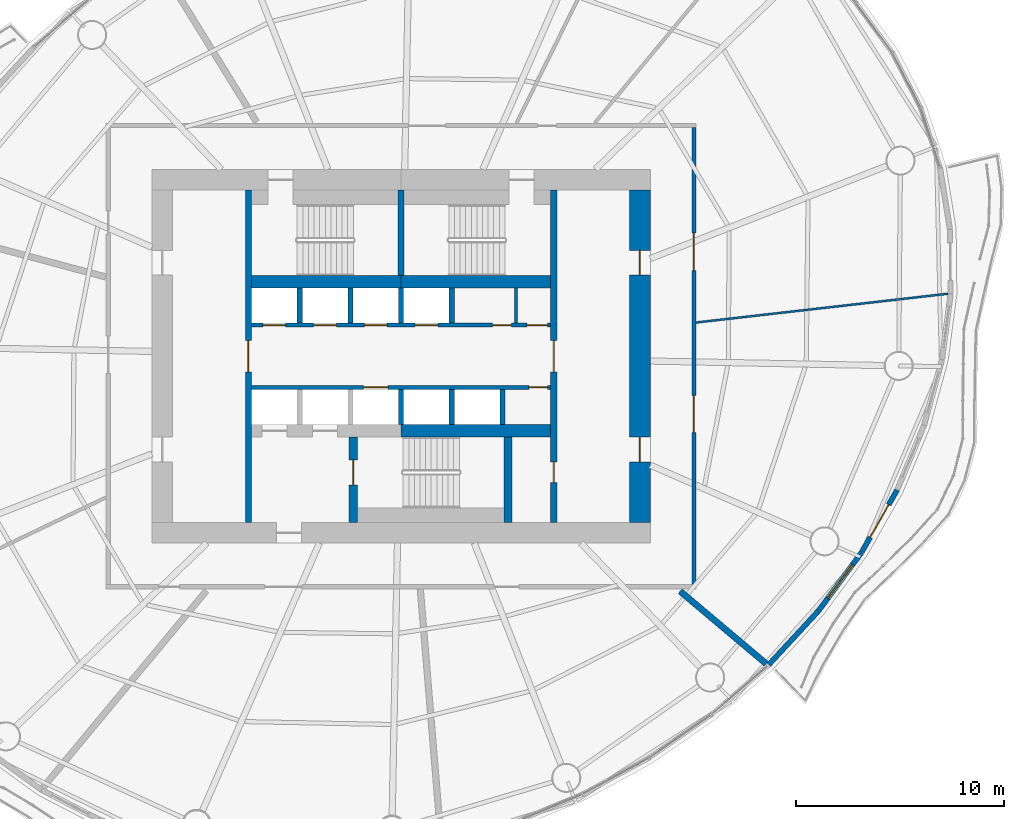
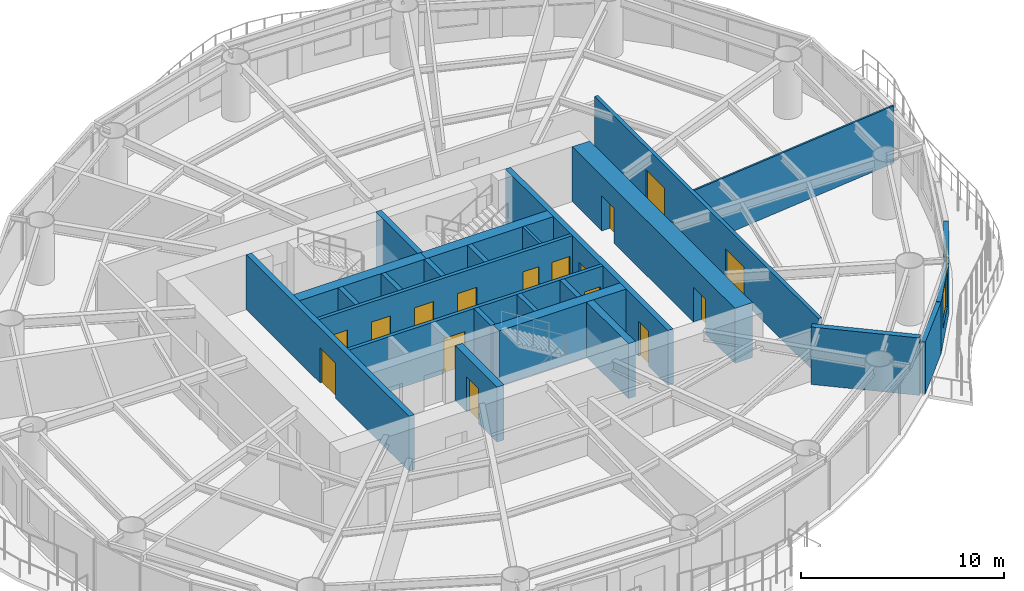
# One storey, part 9 of 15: 25 walls, 17 doors, 1 window, 18 openings.
"""IFC4 building model written with IfcOpenShell, lengths in metres."""

from ifc_helpers import new_model, si_unit, direction, frame, frame_2d, origin, place, context, subcontext, project, spatial, rectangle, extrude, material, layer, layer_set, type_object, element, fill, save


model = new_model("IFC4")

# Units and contexts
model_context = context("Model", 3, precision=1e-05, world=origin(), true_north=direction((0.0, 1.0)))
body_context = subcontext(model_context, "Body", "Model", "MODEL_VIEW")
ifc_project = project(units=[si_unit("LENGTHUNIT", "METRE"), si_unit("AREAUNIT", "SQUARE_METRE"), si_unit("VOLUMEUNIT", "CUBIC_METRE"), si_unit("PLANEANGLEUNIT", "RADIAN"), si_unit("MASSUNIT", "GRAM", prefix="KILO")], contexts=[model_context])

# Site, building, storey
site_placement = place(None, origin())
site = spatial("IfcSite", under=ifc_project, at=site_placement, CompositionType="ELEMENT")
building_placement = place(site_placement, origin())
building = spatial("IfcBuilding", under=site, at=building_placement, Name="Vermilion Reach Broadcast Tower", CompositionType="ELEMENT")
storey_placement = place(building_placement, frame((0.0, 0.0, 161.39990234375)))
storey = spatial("IfcBuildingStorey", under=building, at=storey_placement, Name="L38", CompositionType="ELEMENT", Elevation=161.39990234375)

# Wall, opening, door
ifc_material_1 = material(Name="Concrete C70", Category="concrete")
ifc_layer_1 = layer(ifc_material_1, 0.300048828125)
ifc_layer_set_1 = layer_set([ifc_layer_1], Name="Core inner wall 300 mm Concrete C70")
wall_type_1 = type_object("IfcWallType", Name="Core inner wall 300 mm Concrete C70", PredefinedType="SHEAR", material=ifc_layer_set_1)
wall_1_placement = place(storey_placement, frame((-13.35009765625, 8.0, 0.0), z_axis=(0.0, 0.0, 1.0), x_axis=(0.0, -1.0, 0.0)))
wall_1 = element("IfcWall", 1, at=wall_1_placement, inside=storey, type_object=wall_type_1, Name="L38 core wall ewW", PredefinedType="SHEAR", context=body_context, shape_type="SweptSolid", body=[
    extrude(rectangle(XDim=16.0, YDim=0.300048828125, at=frame_2d((8.0, 0.0))), origin(), (0.0, 0.0, 1.0), 3.300048828125),
])
opening_1_placement = place(wall_1_placement, frame((7.25, 0.0, 0.0)))
opening_1 = element("IfcOpeningElement", 2, at=opening_1_placement, cuts=wall_1, Name="Opening D04", PredefinedType="OPENING", context=body_context, shape_type="SweptSolid", body=[
    extrude(rectangle(XDim=1.5, YDim=2.10009765625, at=frame_2d((0.75, 1.050048828125))), frame((0.0, 0.159912109375, 0.0), z_axis=(0.0, -1.0, 0.0), x_axis=(1.0, 0.0, 0.0)), (0.0, 0.0, 1.0), 0.320068359375),
])
ifc_material_2 = material(Name="Painted steel fire door", Category="steel")
door_type_1 = type_object("IfcDoorType", Name="Lift lobby door 1500 x 2100", OperationType="DOUBLE_DOOR_SINGLE_SWING", PredefinedType="NOTDEFINED", material=ifc_material_2)
door_1_placement = place(opening_1_placement, origin())
door_1 = element("IfcDoor", 3, at=door_1_placement, inside=storey, type_object=door_type_1, Name="L38 band door BW", OperationType="DOUBLE_DOOR_SINGLE_SWING", OverallHeight=2.10009765625, OverallWidth=1.5, PredefinedType="NOTDEFINED", context=body_context, shape_type="SweptSolid", body=[
    extrude(rectangle(XDim=1.5, YDim=2.10009765625, at=frame_2d((0.75, 1.050048828125))), frame((0.0, 0.02490234375, 0.0), z_axis=(0.0, -1.0, 0.0), x_axis=(1.0, 0.0, 0.0)), (0.0, 0.0, 1.0), 0.050048828125),
])
fill(opening_1, door_1)

# Wall, openings, doors
wall_2_placement = place(storey_placement, frame((1.35009765625, -8.0, 0.0), z_axis=(0.0, 0.0, 1.0), x_axis=(0.0, 1.0, 0.0)))
wall_2 = element("IfcWall", 4, at=wall_2_placement, inside=storey, type_object=wall_type_1, Name="L38 core wall ewE", PredefinedType="SHEAR", context=body_context, shape_type="SweptSolid", body=[
    extrude(rectangle(XDim=16.0, YDim=0.300048828125, at=frame_2d((8.0, 0.0))), origin(), (0.0, 0.0, 1.0), 3.300048828125),
])
opening_2_placement = place(wall_2_placement, frame((1.909912109375, 0.0, 0.0)))
opening_2 = element("IfcOpeningElement", 5, at=opening_2_placement, cuts=wall_2, Name="Opening D05", PredefinedType="OPENING", context=body_context, shape_type="SweptSolid", body=[
    extrude(rectangle(XDim=1.0, YDim=2.10009765625, at=frame_2d((0.5, 1.050048828125))), frame((0.0, 0.159912109375, 0.0), z_axis=(0.0, -1.0, 0.0), x_axis=(1.0, 0.0, 0.0)), (0.0, 0.0, 1.0), 0.320068359375),
])
opening_3_placement = place(wall_2_placement, frame((7.25, 0.0, 0.0)))
opening_3 = element("IfcOpeningElement", 6, at=opening_3_placement, cuts=wall_2, Name="Opening D04", PredefinedType="OPENING", context=body_context, shape_type="SweptSolid", body=[
    extrude(rectangle(XDim=1.5, YDim=2.10009765625, at=frame_2d((0.75, 1.050048828125))), frame((0.0, 0.159912109375, 0.0), z_axis=(0.0, -1.0, 0.0), x_axis=(1.0, 0.0, 0.0)), (0.0, 0.0, 1.0), 0.320068359375),
])
door_2_placement = place(opening_3_placement, origin())
door_2 = element("IfcDoor", 7, at=door_2_placement, inside=storey, type_object=door_type_1, Name="L38 band door BE", OperationType="DOUBLE_DOOR_SINGLE_SWING", OverallHeight=2.10009765625, OverallWidth=1.5, PredefinedType="NOTDEFINED", context=body_context, shape_type="SweptSolid", body=[
    extrude(rectangle(XDim=1.5, YDim=2.10009765625, at=frame_2d((0.75, 1.050048828125))), frame((0.0, 0.02490234375, 0.0), z_axis=(0.0, -1.0, 0.0), x_axis=(1.0, 0.0, 0.0)), (0.0, 0.0, 1.0), 0.050048828125),
])
fill(opening_3, door_2)
ifc_material_3 = material(Name="Timber door", Category="wood")
door_type_2 = type_object("IfcDoorType", Name="Room door 1000 x 2100", OperationType="NOTDEFINED", PredefinedType="NOTDEFINED", material=ifc_material_3)
door_3_placement = place(opening_2_placement, origin())
door_3 = element("IfcDoor", 8, at=door_3_placement, inside=storey, type_object=door_type_2, Name="L38 door SER", OperationType="SINGLE_SWING_LEFT", OverallHeight=2.10009765625, OverallWidth=1.0, PredefinedType="NOTDEFINED", context=body_context, shape_type="SweptSolid", body=[
    extrude(rectangle(XDim=1.0, YDim=2.10009765625, at=frame_2d((0.5, 1.050048828125))), frame((0.0, 0.02490234375, 0.0), z_axis=(0.0, -1.0, 0.0), x_axis=(1.0, 0.0, 0.0)), (0.0, 0.0, 1.0), 0.050048828125),
])
fill(opening_2, door_3)

# Wall
wall_3_placement = place(storey_placement, frame((-6.0, 3.8798828125, 0.0), z_axis=(0.0, 0.0, 1.0), x_axis=(0.0, 1.0, 0.0)))
element("IfcWall", 9, at=wall_3_placement, inside=storey, type_object=wall_type_1, Name="L38 core wall wc", PredefinedType="SHEAR", context=body_context, shape_type="SweptSolid", body=[
    extrude(rectangle(XDim=4.1201171875, YDim=0.300048828125, at=frame_2d((2.06005859375, 0.0))), origin(), (0.0, 0.0, 1.0), 3.300048828125),
])

# Wall, opening, door
ifc_material_4 = material(Name="Concrete C70", Category="concrete")
ifc_layer_2 = layer(ifc_material_4, 0.39990234375)
ifc_layer_set_2 = layer_set([ifc_layer_2], Name="Core inner wall 400 mm Concrete C70")
wall_type_2 = type_object("IfcWallType", Name="Core inner wall 400 mm Concrete C70", PredefinedType="SHEAR", material=ifc_layer_set_2)
wall_4_placement = place(storey_placement, frame((-8.300048828125, -3.8798828125, 0.0), z_axis=(0.0, 0.0, 1.0), x_axis=(0.0, -1.0, 0.0)))
wall_4 = element("IfcWall", 10, at=wall_4_placement, inside=storey, type_object=wall_type_2, Name="L38 core wall wa", PredefinedType="SHEAR", context=body_context, shape_type="SweptSolid", body=[
    extrude(rectangle(XDim=4.1201171875, YDim=0.39990234375, at=frame_2d((2.06005859375, 0.0))), origin(), (0.0, 0.0, 1.0), 3.300048828125),
])
opening_4_placement = place(wall_4_placement, frame((1.110107421875, 0.0, 0.0)))
opening_4 = element("IfcOpeningElement", 11, at=opening_4_placement, cuts=wall_4, Name="Opening D01", PredefinedType="OPENING", context=body_context, shape_type="SweptSolid", body=[
    extrude(rectangle(XDim=1.199951171875, YDim=2.10009765625, at=frame_2d((0.60009765625, 1.050048828125))), frame((0.0, 0.2099609375, 0.0), z_axis=(0.0, -1.0, 0.0), x_axis=(1.0, 0.0, 0.0)), (0.0, 0.0, 1.0), 0.419921875),
])
ifc_material_5 = material(Name="Painted steel fire door", Category="steel")
door_type_3 = type_object("IfcDoorType", Name="Stair door 1200 x 2100", OperationType="DOUBLE_DOOR_SINGLE_SWING", PredefinedType="NOTDEFINED", material=ifc_material_5)
door_4_placement = place(opening_4_placement, origin())
door_4 = element("IfcDoor", 12, at=door_4_placement, inside=storey, type_object=door_type_3, Name="L38 stair door ST3", OperationType="DOUBLE_DOOR_SINGLE_SWING", OverallHeight=2.10009765625, OverallWidth=1.199951171875, PredefinedType="NOTDEFINED", context=body_context, shape_type="SweptSolid", body=[
    extrude(rectangle(XDim=1.199951171875, YDim=2.10009765625, at=frame_2d((0.60009765625, 1.050048828125))), frame((0.0, 0.02490234375, 0.0), z_axis=(0.0, -1.0, 0.0), x_axis=(1.0, 0.0, 0.0)), (0.0, 0.0, 1.0), 0.050048828125),
])
fill(opening_4, door_4)

# Walls
wall_5_placement = place(storey_placement, frame((-0.85009765625, -3.8798828125, 0.0), z_axis=(0.0, 0.0, 1.0), x_axis=(0.0, -1.0, 0.0)))
element("IfcWall", 13, at=wall_5_placement, inside=storey, type_object=wall_type_2, Name="L38 core wall wb", PredefinedType="SHEAR", context=body_context, shape_type="SweptSolid", body=[
    extrude(rectangle(XDim=4.1201171875, YDim=0.39990234375, at=frame_2d((2.06005859375, 0.0))), origin(), (0.0, 0.0, 1.0), 3.300048828125),
])
ifc_material_6 = material(Name="Concrete C70", Category="concrete")
ifc_layer_3 = layer(ifc_material_6, 0.60009765625)
ifc_layer_set_3 = layer_set([ifc_layer_3], Name="Core inner wall 600 mm Concrete C70")
wall_type_3 = type_object("IfcWallType", Name="Core inner wall 600 mm Concrete C70", PredefinedType="SHEAR", material=ifc_layer_set_3)
for number, where, z_axis, x_axis, name in (
    (14, (-13.199951171875, 3.580078125, 0.0), (0.0, 0.0, 1.0), (1.0, 0.0, 0.0), "L38 core wall winW"),
    (15, (-6.0, 3.580078125, 0.0), (0.0, 0.0, 1.0), (1.0, 0.0, 0.0), "L38 core wall winE"),
    (16, (-6.0, -3.580078125, 0.0), (0.0, 0.0, 1.0), (1.0, 0.0, 0.0), "L38 core wall wisE"),
):
    element("IfcWall", number, at=place(storey_placement, frame(where, z_axis=z_axis, x_axis=x_axis)), inside=storey, type_object=wall_type_3, Name=name, PredefinedType="SHEAR", context=body_context, shape_type="SweptSolid", body=[
        extrude(rectangle(XDim=7.199951171875, YDim=0.60009765625, at=frame_2d((3.60009765625, 0.0))), origin(), (0.0, 0.0, 1.0), 3.300048828125),
    ])

# Wall, openings, doors
ifc_material_7 = material(Name="Concrete C70", Category="concrete")
ifc_layer_4 = layer(ifc_material_7, 1.0)
ifc_layer_set_4 = layer_set([ifc_layer_4], Name="Core outer wall 1000 mm Concrete C70")
wall_type_4 = type_object("IfcWallType", Name="Core outer wall 1000 mm Concrete C70", PredefinedType="SHEAR", material=ifc_layer_set_4)
wall_6_placement = place(storey_placement, frame((5.5, -8.0, 0.0), z_axis=(0.0, 0.0, 1.0), x_axis=(0.0, 1.0, 0.0)))
wall_6 = element("IfcWall", 17, at=wall_6_placement, inside=storey, type_object=wall_type_4, Name="L38 core wall oe", PredefinedType="SHEAR", context=body_context, shape_type="SweptSolid", body=[
    extrude(rectangle(XDim=16.0, YDim=1.0, at=frame_2d((8.0, 0.0))), origin(), (0.0, 0.0, 1.0), 3.300048828125),
])
opening_5_placement = place(wall_6_placement, frame((2.89990234375, 0.0, 0.0)))
opening_5 = element("IfcOpeningElement", 18, at=opening_5_placement, cuts=wall_6, Name="Opening D03", PredefinedType="OPENING", context=body_context, shape_type="SweptSolid", body=[
    extrude(rectangle(XDim=1.199951171875, YDim=2.10009765625, at=frame_2d((0.60009765625, 1.050048828125))), frame((0.0, 0.510009765625, 0.0), z_axis=(0.0, -1.0, 0.0), x_axis=(1.0, 0.0, 0.0)), (0.0, 0.0, 1.0), 1.02001953125),
])
opening_6_placement = place(wall_6_placement, frame((11.89990234375, 0.0, 0.0)))
opening_6 = element("IfcOpeningElement", 19, at=opening_6_placement, cuts=wall_6, Name="Opening D03", PredefinedType="OPENING", context=body_context, shape_type="SweptSolid", body=[
    extrude(rectangle(XDim=1.199951171875, YDim=2.10009765625, at=frame_2d((0.60009765625, 1.050048828125))), frame((0.0, 0.510009765625, 0.0), z_axis=(0.0, -1.0, 0.0), x_axis=(1.0, 0.0, 0.0)), (0.0, 0.0, 1.0), 1.02001953125),
])
ifc_material_8 = material(Name="Painted steel fire door", Category="steel")
door_type_4 = type_object("IfcDoorType", Name="Core lobby door 1200 x 2100", OperationType="DOUBLE_DOOR_SINGLE_SWING", PredefinedType="NOTDEFINED", material=ifc_material_8)
door_5_placement = place(opening_5_placement, origin())
door_5 = element("IfcDoor", 20, at=door_5_placement, inside=storey, type_object=door_type_4, Name="L38 slot door E0", OperationType="DOUBLE_DOOR_SINGLE_SWING", OverallHeight=2.10009765625, OverallWidth=1.199951171875, PredefinedType="NOTDEFINED", context=body_context, shape_type="SweptSolid", body=[
    extrude(rectangle(XDim=1.199951171875, YDim=2.10009765625, at=frame_2d((0.60009765625, 1.050048828125))), frame((0.0, 0.02490234375, 0.0), z_axis=(0.0, -1.0, 0.0), x_axis=(1.0, 0.0, 0.0)), (0.0, 0.0, 1.0), 0.050048828125),
])
fill(opening_5, door_5)
door_6_placement = place(opening_6_placement, origin())
door_6 = element("IfcDoor", 21, at=door_6_placement, inside=storey, type_object=door_type_4, Name="L38 slot door E1", OperationType="DOUBLE_DOOR_SINGLE_SWING", OverallHeight=2.10009765625, OverallWidth=1.199951171875, PredefinedType="NOTDEFINED", context=body_context, shape_type="SweptSolid", body=[
    extrude(rectangle(XDim=1.199951171875, YDim=2.10009765625, at=frame_2d((0.60009765625, 1.050048828125))), frame((0.0, 0.02490234375, 0.0), z_axis=(0.0, -1.0, 0.0), x_axis=(1.0, 0.0, 0.0)), (0.0, 0.0, 1.0), 0.050048828125),
])
fill(opening_6, door_6)

# Wall
ifc_material_9 = material(Name="Masonry block", Category="masonry")
ifc_layer_5 = layer(ifc_material_9, 0.14990234375)
ifc_layer_set_5 = layer_set([ifc_layer_5], Name="Core partition wall 150 mm Masonry block")
wall_type_5 = type_object("IfcWallType", Name="Core partition wall 150 mm Masonry block", PredefinedType="PARTITIONING", material=ifc_layer_set_5)
wall_7_placement = place(storey_placement, frame((-0.468017578125, 1.60009765625, 0.0), z_axis=(0.0, 0.0, 1.0), x_axis=(0.0, 1.0, 0.0)))
element("IfcWall", 22, at=wall_7_placement, inside=storey, type_object=wall_type_5, Name="L38 core wall prN5532", PredefinedType="PARTITIONING", context=body_context, shape_type="SweptSolid", body=[
    extrude(rectangle(XDim=1.679931640625, YDim=0.14990234375, at=frame_2d((0.83984375, 0.0))), origin(), (0.0, 0.0, 1.0), 3.300048828125),
])

# Wall, openings, doors
ifc_material_10 = material(Name="Concrete C50", Category="concrete")
ifc_layer_6 = layer(ifc_material_10, 0.199951171875)
ifc_layer_set_6 = layer_set([ifc_layer_6], Name="Core shaft wall 200 mm Concrete C50")
wall_type_6 = type_object("IfcWallType", Name="Core shaft wall 200 mm Concrete C50", PredefinedType="SHEAR", material=ifc_layer_set_6)
wall_8_placement = place(storey_placement, frame((-13.199951171875, 1.5, 0.0), z_axis=(0.0, 0.0, 1.0), x_axis=(1.0, 0.0, 0.0)))
wall_8 = element("IfcWall", 23, at=wall_8_placement, inside=storey, type_object=wall_type_6, Name="L38 core wall fn", PredefinedType="SHEAR", context=body_context, shape_type="SweptSolid", body=[
    extrude(rectangle(XDim=14.39990234375, YDim=0.199951171875, at=frame_2d((7.199951171875, 0.0))), origin(), (0.0, 0.0, 1.0), 3.300048828125),
])
opening_7_placement = place(wall_8_placement, frame((0.5458984375, 0.0, 0.0)))
opening_7 = element("IfcOpeningElement", 24, at=opening_7_placement, cuts=wall_8, Name="Opening LD2", PredefinedType="OPENING", context=body_context, shape_type="SweptSolid", body=[
    extrude(rectangle(XDim=1.10009765625, YDim=2.10009765625, at=frame_2d((0.550048828125, 1.050048828125))), frame((0.0, 0.10986328125, 0.0), z_axis=(0.0, -1.0, 0.0), x_axis=(1.0, 0.0, 0.0)), (0.0, 0.0, 1.0), 0.219970703125),
])
opening_8_placement = place(wall_8_placement, frame((2.987548828125, 0.0, 0.0)))
opening_8 = element("IfcOpeningElement", 25, at=opening_8_placement, cuts=wall_8, Name="Opening LD2", PredefinedType="OPENING", context=body_context, shape_type="SweptSolid", body=[
    extrude(rectangle(XDim=1.10009765625, YDim=2.10009765625, at=frame_2d((0.550048828125, 1.050048828125))), frame((0.0, 0.10986328125, 0.0), z_axis=(0.0, -1.0, 0.0), x_axis=(1.0, 0.0, 0.0)), (0.0, 0.0, 1.0), 0.219970703125),
])
opening_9_placement = place(wall_8_placement, frame((5.42919921875, 0.0, 0.0)))
opening_9 = element("IfcOpeningElement", 26, at=opening_9_placement, cuts=wall_8, Name="Opening LD2", PredefinedType="OPENING", context=body_context, shape_type="SweptSolid", body=[
    extrude(rectangle(XDim=1.10009765625, YDim=2.10009765625, at=frame_2d((0.550048828125, 1.050048828125))), frame((0.0, 0.10986328125, 0.0), z_axis=(0.0, -1.0, 0.0), x_axis=(1.0, 0.0, 0.0)), (0.0, 0.0, 1.0), 0.219970703125),
])
opening_10_placement = place(wall_8_placement, frame((7.870849609375, 0.0, 0.0)))
opening_10 = element("IfcOpeningElement", 27, at=opening_10_placement, cuts=wall_8, Name="Opening LD2", PredefinedType="OPENING", context=body_context, shape_type="SweptSolid", body=[
    extrude(rectangle(XDim=1.10009765625, YDim=2.10009765625, at=frame_2d((0.550048828125, 1.050048828125))), frame((0.0, 0.10986328125, 0.0), z_axis=(0.0, -1.0, 0.0), x_axis=(1.0, 0.0, 0.0)), (0.0, 0.0, 1.0), 0.219970703125),
])
opening_11_placement = place(wall_8_placement, frame((11.60693359375, 0.0, 0.0)))
opening_11 = element("IfcOpeningElement", 28, at=opening_11_placement, cuts=wall_8, Name="Opening D06", PredefinedType="OPENING", context=body_context, shape_type="SweptSolid", body=[
    extrude(rectangle(XDim=0.89990234375, YDim=2.10009765625, at=frame_2d((0.449951171875, 1.050048828125))), frame((0.0, 0.10986328125, 0.0), z_axis=(0.0, -1.0, 0.0), x_axis=(1.0, 0.0, 0.0)), (0.0, 0.0, 1.0), 0.219970703125),
])
opening_12_placement = place(wall_8_placement, frame((13.25, 0.0, 0.0)))
opening_12 = element("IfcOpeningElement", 29, at=opening_12_placement, cuts=wall_8, Name="Opening D07", PredefinedType="OPENING", context=body_context, shape_type="SweptSolid", body=[
    extrude(rectangle(XDim=1.0, YDim=2.10009765625, at=frame_2d((0.5, 1.050048828125))), frame((0.0, 0.10986328125, 0.0), z_axis=(0.0, -1.0, 0.0), x_axis=(1.0, 0.0, 0.0)), (0.0, 0.0, 1.0), 0.219970703125),
])
ifc_material_11 = material(Name="Timber door", Category="wood")
door_type_5 = type_object("IfcDoorType", Name="Accessible WC door 1000 x 2100", OperationType="NOTDEFINED", PredefinedType="NOTDEFINED", material=ifc_material_11)
door_7_placement = place(opening_12_placement, origin())
door_7 = element("IfcDoor", 30, at=door_7_placement, inside=storey, type_object=door_type_5, Name="L38 door Accessible WC", OperationType="SINGLE_SWING_RIGHT", OverallHeight=2.10009765625, OverallWidth=1.0, PredefinedType="NOTDEFINED", context=body_context, shape_type="SweptSolid", body=[
    extrude(rectangle(XDim=1.0, YDim=2.10009765625, at=frame_2d((0.5, 1.050048828125))), frame((0.0, 0.02490234375, 0.0), z_axis=(0.0, -1.0, 0.0), x_axis=(1.0, 0.0, 0.0)), (0.0, 0.0, 1.0), 0.050048828125),
])
fill(opening_12, door_7)
ifc_material_12 = material(Name="Stainless steel", Category="steel")
door_type_6 = type_object("IfcDoorType", Name="Landing door 1100 x 2100", OperationType="DOUBLE_DOOR_SLIDING", PredefinedType="NOTDEFINED", material=ifc_material_12)
door_8_placement = place(opening_7_placement, origin())
door_8 = element("IfcDoor", 31, at=door_8_placement, inside=storey, type_object=door_type_6, Name="L38 landing door LR1", OperationType="DOUBLE_DOOR_SLIDING", OverallHeight=2.10009765625, OverallWidth=1.10009765625, PredefinedType="NOTDEFINED", context=body_context, shape_type="SweptSolid", body=[
    extrude(rectangle(XDim=1.10009765625, YDim=2.10009765625, at=frame_2d((0.550048828125, 1.050048828125))), frame((0.0, 0.02490234375, 0.0), z_axis=(0.0, -1.0, 0.0), x_axis=(1.0, 0.0, 0.0)), (0.0, 0.0, 1.0), 0.050048828125),
])
fill(opening_7, door_8)
door_9_placement = place(opening_8_placement, origin())
door_9 = element("IfcDoor", 32, at=door_9_placement, inside=storey, type_object=door_type_6, Name="L38 landing door LR2", OperationType="DOUBLE_DOOR_SLIDING", OverallHeight=2.10009765625, OverallWidth=1.10009765625, PredefinedType="NOTDEFINED", context=body_context, shape_type="SweptSolid", body=[
    extrude(rectangle(XDim=1.10009765625, YDim=2.10009765625, at=frame_2d((0.550048828125, 1.050048828125))), frame((0.0, 0.02490234375, 0.0), z_axis=(0.0, -1.0, 0.0), x_axis=(1.0, 0.0, 0.0)), (0.0, 0.0, 1.0), 0.050048828125),
])
fill(opening_8, door_9)
door_10_placement = place(opening_9_placement, origin())
door_10 = element("IfcDoor", 33, at=door_10_placement, inside=storey, type_object=door_type_6, Name="L38 landing door LR3", OperationType="DOUBLE_DOOR_SLIDING", OverallHeight=2.10009765625, OverallWidth=1.10009765625, PredefinedType="NOTDEFINED", context=body_context, shape_type="SweptSolid", body=[
    extrude(rectangle(XDim=1.10009765625, YDim=2.10009765625, at=frame_2d((0.550048828125, 1.050048828125))), frame((0.0, 0.02490234375, 0.0), z_axis=(0.0, -1.0, 0.0), x_axis=(1.0, 0.0, 0.0)), (0.0, 0.0, 1.0), 0.050048828125),
])
fill(opening_9, door_10)
door_11_placement = place(opening_10_placement, origin())
door_11 = element("IfcDoor", 34, at=door_11_placement, inside=storey, type_object=door_type_6, Name="L38 landing door LR4", OperationType="DOUBLE_DOOR_SLIDING", OverallHeight=2.10009765625, OverallWidth=1.10009765625, PredefinedType="NOTDEFINED", context=body_context, shape_type="SweptSolid", body=[
    extrude(rectangle(XDim=1.10009765625, YDim=2.10009765625, at=frame_2d((0.550048828125, 1.050048828125))), frame((0.0, 0.02490234375, 0.0), z_axis=(0.0, -1.0, 0.0), x_axis=(1.0, 0.0, 0.0)), (0.0, 0.0, 1.0), 0.050048828125),
])
fill(opening_10, door_11)
ifc_material_13 = material(Name="Timber door", Category="wood")
door_type_7 = type_object("IfcDoorType", Name="WC door 900 x 2100", OperationType="NOTDEFINED", PredefinedType="NOTDEFINED", material=ifc_material_13)
door_12_placement = place(opening_11_placement, origin())
door_12 = element("IfcDoor", 35, at=door_12_placement, inside=storey, type_object=door_type_7, Name="L38 door Female WC", OperationType="SINGLE_SWING_RIGHT", OverallHeight=2.10009765625, OverallWidth=0.89990234375, PredefinedType="NOTDEFINED", context=body_context, shape_type="SweptSolid", body=[
    extrude(rectangle(XDim=0.89990234375, YDim=2.10009765625, at=frame_2d((0.449951171875, 1.050048828125))), frame((0.0, 0.02490234375, 0.0), z_axis=(0.0, -1.0, 0.0), x_axis=(1.0, 0.0, 0.0)), (0.0, 0.0, 1.0), 0.050048828125),
])
fill(opening_11, door_12)

wall_9_placement = place(storey_placement, frame((1.199951171875, -1.5, 0.0), z_axis=(0.0, 0.0, 1.0), x_axis=(-1.0, 0.0, 0.0)))
wall_9 = element("IfcWall", 36, at=wall_9_placement, inside=storey, type_object=wall_type_6, Name="L38 core wall fs", PredefinedType="SHEAR", context=body_context, shape_type="SweptSolid", body=[
    extrude(rectangle(XDim=14.39990234375, YDim=0.199951171875, at=frame_2d((7.199951171875, 0.0))), origin(), (0.0, 0.0, 1.0), 3.300048828125),
])
opening_13_placement = place(wall_9_placement, frame((7.82080078125, 0.0, 0.0)))
opening_13 = element("IfcOpeningElement", 37, at=opening_13_placement, cuts=wall_9, Name="Opening LD1", PredefinedType="OPENING", context=body_context, shape_type="SweptSolid", body=[
    extrude(rectangle(XDim=1.199951171875, YDim=2.10009765625, at=frame_2d((0.60009765625, 1.050048828125))), frame((0.0, 0.10986328125, 0.0), z_axis=(0.0, -1.0, 0.0), x_axis=(1.0, 0.0, 0.0)), (0.0, 0.0, 1.0), 0.219970703125),
])
opening_14_placement = place(wall_9_placement, frame((0.14990234375, 0.0, 0.0)))
opening_14 = element("IfcOpeningElement", 38, at=opening_14_placement, cuts=wall_9, Name="Opening D06", PredefinedType="OPENING", context=body_context, shape_type="SweptSolid", body=[
    extrude(rectangle(XDim=0.89990234375, YDim=2.10009765625, at=frame_2d((0.449951171875, 1.050048828125))), frame((0.0, 0.10986328125, 0.0), z_axis=(0.0, -1.0, 0.0), x_axis=(1.0, 0.0, 0.0)), (0.0, 0.0, 1.0), 0.219970703125),
])
ifc_material_14 = material(Name="Stainless steel", Category="steel")
door_type_8 = type_object("IfcDoorType", Name="Landing door 1200 x 2100", OperationType="DOUBLE_DOOR_SLIDING", PredefinedType="NOTDEFINED", material=ifc_material_14)
door_13_placement = place(opening_13_placement, origin())
door_13 = element("IfcDoor", 39, at=door_13_placement, inside=storey, type_object=door_type_8, Name="L38 landing door SV1", OperationType="DOUBLE_DOOR_SLIDING", OverallHeight=2.10009765625, OverallWidth=1.199951171875, PredefinedType="NOTDEFINED", context=body_context, shape_type="SweptSolid", body=[
    extrude(rectangle(XDim=1.199951171875, YDim=2.10009765625, at=frame_2d((0.60009765625, 1.050048828125))), frame((0.0, 0.02490234375, 0.0), z_axis=(0.0, -1.0, 0.0), x_axis=(1.0, 0.0, 0.0)), (0.0, 0.0, 1.0), 0.050048828125),
])
fill(opening_13, door_13)
door_14_placement = place(opening_14_placement, origin())
door_14 = element("IfcDoor", 40, at=door_14_placement, inside=storey, type_object=door_type_7, Name="L38 door Male WC", OperationType="SINGLE_SWING_LEFT", OverallHeight=2.10009765625, OverallWidth=0.89990234375, PredefinedType="NOTDEFINED", context=body_context, shape_type="SweptSolid", body=[
    extrude(rectangle(XDim=0.89990234375, YDim=2.10009765625, at=frame_2d((0.449951171875, 1.050048828125))), frame((0.0, 0.02490234375, 0.0), z_axis=(0.0, -1.0, 0.0), x_axis=(1.0, 0.0, 0.0)), (0.0, 0.0, 1.0), 0.050048828125),
])
fill(opening_14, door_14)

# Walls
ifc_material_15 = material(Name="Concrete C50", Category="concrete")
ifc_layer_7 = layer(ifc_material_15, 0.25)
ifc_layer_set_7 = layer_set([ifc_layer_7], Name="Core shaft wall 250 mm Concrete C50")
wall_type_7 = type_object("IfcWallType", Name="Core shaft wall 250 mm Concrete C50", PredefinedType="SHEAR", material=ifc_layer_set_7)
for number, where, z_axis, x_axis, name in (
    (41, (-10.88330078125, 1.60009765625, 0.0), (0.0, 0.0, 1.0), (0.0, 1.0, 0.0), "L38 core wall psN0"),
    (42, (-8.441650390625, 1.60009765625, 0.0), (0.0, 0.0, 1.0), (0.0, 1.0, 0.0), "L38 core wall psN1"),
    (43, (-6.0, 1.60009765625, 0.0), (0.0, 0.0, 1.0), (0.0, 1.0, 0.0), "L38 core wall psN2"),
    (44, (-3.558349609375, 1.60009765625, 0.0), (0.0, 0.0, 1.0), (0.0, 1.0, 0.0), "L38 core wall psN3"),
    (45, (-6.0, -1.60009765625, 0.0), (0.0, 0.0, 1.0), (0.0, -1.0, 0.0), "L38 core wall psS2"),
    (46, (-3.558349609375, -1.60009765625, 0.0), (0.0, 0.0, 1.0), (0.0, -1.0, 0.0), "L38 core wall psS3"),
    (47, (-1.11669921875, -1.60009765625, 0.0), (0.0, 0.0, 1.0), (0.0, -1.0, 0.0), "L38 core wall psS4"),
):
    element("IfcWall", number, at=place(storey_placement, frame(where, z_axis=z_axis, x_axis=x_axis)), inside=storey, type_object=wall_type_7, Name=name, PredefinedType="SHEAR", context=body_context, shape_type="SweptSolid", body=[
        extrude(rectangle(XDim=1.679931640625, YDim=0.25, at=frame_2d((0.83984375, 0.0))), origin(), (0.0, 0.0, 1.0), 3.300048828125),
    ])

# Wall, openings, doors
ifc_material_16 = material(Name="Fire-rated gypsum board partition")
ifc_layer_8 = layer(ifc_material_16, 0.199951171875)
ifc_layer_set_8 = layer_set([ifc_layer_8], Name="Corridor wall 200 fire-rated")
wall_type_8 = type_object("IfcWallType", Name="Corridor wall 200 fire-rated", PredefinedType="PARTITIONING", material=ifc_layer_set_8)
wall_10_placement = place(storey_placement, frame((8.10009765625, 11.0, 0.0), z_axis=(0.0, 0.0, 1.0), x_axis=(0.0, -1.0, 0.0)))
wall_10 = element("IfcWall", 48, at=wall_10_placement, inside=storey, type_object=wall_type_8, Name="Corridor wall 38.E", PredefinedType="PARTITIONING", context=body_context, shape_type="SweptSolid", body=[
    extrude(rectangle(XDim=22.0, YDim=0.199951171875, at=frame_2d((11.0, 0.0))), origin(), (0.0, 0.0, 1.0), 3.4501953125),
])
opening_15_placement = place(wall_10_placement, frame((12.88427734375, 0.0, 0.0)))
opening_15 = element("IfcOpeningElement", 49, at=opening_15_placement, cuts=wall_10, Name="Opening D21", PredefinedType="OPENING", context=body_context, shape_type="SweptSolid", body=[
    extrude(rectangle(XDim=1.800048828125, YDim=2.10009765625, at=frame_2d((0.89990234375, 1.050048828125))), frame((0.0, 0.10986328125, 0.0), z_axis=(0.0, -1.0, 0.0), x_axis=(1.0, 0.0, 0.0)), (0.0, 0.0, 1.0), 0.219970703125),
])
opening_16_placement = place(wall_10_placement, frame((5.07421875, 0.0, 0.0)))
opening_16 = element("IfcOpeningElement", 50, at=opening_16_placement, cuts=wall_10, Name="Opening D21", PredefinedType="OPENING", context=body_context, shape_type="SweptSolid", body=[
    extrude(rectangle(XDim=1.800048828125, YDim=2.10009765625, at=frame_2d((0.89990234375, 1.050048828125))), frame((0.0, 0.10986328125, 0.0), z_axis=(0.0, -1.0, 0.0), x_axis=(1.0, 0.0, 0.0)), (0.0, 0.0, 1.0), 0.219970703125),
])
ifc_material_17 = material(Name="Timber door leaf", Category="wood")
door_type_9 = type_object("IfcDoorType", Name="Door pair 1800x2100", OperationType="NOTDEFINED", PredefinedType="DOOR", material=ifc_material_17)
door_15_placement = place(opening_15_placement, origin())
door_15 = element("IfcDoor", 51, at=door_15_placement, inside=storey, type_object=door_type_9, Name="Door 38.08", OperationType="DOUBLE_DOOR_SINGLE_SWING", OverallHeight=2.10009765625, OverallWidth=1.800048828125, PredefinedType="DOOR", context=body_context, shape_type="SweptSolid", body=[
    extrude(rectangle(XDim=1.800048828125, YDim=2.10009765625, at=frame_2d((0.89990234375, 1.050048828125))), frame((0.0, 0.02490234375, 0.0), z_axis=(0.0, -1.0, 0.0), x_axis=(1.0, 0.0, 0.0)), (0.0, 0.0, 1.0), 0.050048828125),
])
fill(opening_15, door_15)
door_16_placement = place(opening_16_placement, origin())
door_16 = element("IfcDoor", 52, at=door_16_placement, inside=storey, type_object=door_type_9, Name="Door 38.09", OperationType="DOUBLE_DOOR_SINGLE_SWING", OverallHeight=2.10009765625, OverallWidth=1.800048828125, PredefinedType="DOOR", context=body_context, shape_type="SweptSolid", body=[
    extrude(rectangle(XDim=1.800048828125, YDim=2.10009765625, at=frame_2d((0.89990234375, 1.050048828125))), frame((0.0, 0.02490234375, 0.0), z_axis=(0.0, -1.0, 0.0), x_axis=(1.0, 0.0, 0.0)), (0.0, 0.0, 1.0), 0.050048828125),
])
fill(opening_16, door_16)

# Walls
ifc_material_18 = material(Name="Plasterboard on steel stud", Category="steel")
ifc_layer_9 = layer(ifc_material_18, 0.10009765625)
ifc_layer_set_9 = layer_set([ifc_layer_9], Name="Partition 100 steel stud")
wall_type_9 = type_object("IfcWallType", Name="Partition 100 steel stud", PredefinedType="PARTITIONING", material=ifc_layer_set_9)
wall_11_placement = place(storey_placement, frame((20.333740234375, 3.0087890625, 0.0), z_axis=(0.0, 0.0, 1.0), x_axis=(-0.993535766553, -0.113519516294, 0.0)))
element("IfcWall", 53, at=wall_11_placement, inside=storey, type_object=wall_type_9, Name="Partition 38.09", PredefinedType="PARTITIONING", context=body_context, shape_type="SweptSolid", body=[
    extrude(rectangle(XDim=12.20703125, YDim=0.10009765625, at=frame_2d((6.103515625, 0.0))), origin(), (0.0, 0.0, 1.0), 3.4501953125),
])
ifc_material_19 = material(Name="Double-leaf plasterboard on isolated steel stud", Category="steel")
ifc_layer_10 = layer(ifc_material_19, 0.300048828125)
ifc_layer_set_10 = layer_set([ifc_layer_10], Name="Partition 300 acoustic double leaf")
wall_type_10 = type_object("IfcWallType", Name="Partition 300 acoustic double leaf", PredefinedType="PARTITIONING", material=ifc_layer_set_10)
wall_12_placement = place(storey_placement, frame((11.575927734375, -14.803955078125, 0.0), z_axis=(0.0, 0.0, 1.0), x_axis=(-0.764841059906, 0.644219025706, 0.0)))
element("IfcWall", 54, at=wall_12_placement, inside=storey, type_object=wall_type_10, Name="Partition 38.08", PredefinedType="PARTITIONING", context=body_context, shape_type="SweptSolid", body=[
    extrude(rectangle(XDim=5.416259765625, YDim=0.300048828125, at=frame_2d((2.7080078125, 0.0))), origin(), (0.0, 0.0, 1.0), 3.4501953125),
])
ifc_material_20 = material(Name="Terracotta rainscreen cladding", Category="masonry")
ifc_layer_11 = layer(ifc_material_20, 0.25)
ifc_layer_set_11 = layer_set([ifc_layer_11], Name="Terracotta rainscreen wall 250")
wall_type_11 = type_object("IfcWallType", Name="Terracotta rainscreen wall 250", PredefinedType="SOLIDWALL", material=ifc_layer_set_11)
wall_13_placement = place(storey_placement, frame((11.7001953125, -14.853515625, 0.0), z_axis=(0.0, 0.0, 1.0), x_axis=(0.679128099516, 0.734019771156, 0.0)))
element("IfcWall", 55, at=wall_13_placement, inside=storey, type_object=wall_type_11, Name="External wall L38 38", PredefinedType="SOLIDWALL", context=body_context, shape_type="SweptSolid", body=[
    extrude(rectangle(XDim=3.513671875, YDim=0.25, at=frame_2d((1.7568359375, 0.0))), origin(), (0.0, 0.0, 1.0), 3.10009765625),
])

# Wall, opening, window
wall_14_placement = place(storey_placement, frame((14.1005859375, -12.25732421875, 0.0), z_axis=(0.0, 0.0, 1.0), x_axis=(0.592246582395, 0.805756778216, 0.0)))
wall_14 = element("IfcWall", 56, at=wall_14_placement, inside=storey, type_object=wall_type_11, Name="External wall L38 39", PredefinedType="SOLIDWALL", context=body_context, shape_type="SweptSolid", body=[
    extrude(rectangle(XDim=3.4990234375, YDim=0.25, at=frame_2d((1.74951171875, 0.0))), origin(), (0.0, 0.0, 1.0), 3.10009765625),
])
opening_17_placement = place(wall_14_placement, frame((0.74951171875, 0.0, 0.89990234375)))
opening_17 = element("IfcOpeningElement", 57, at=opening_17_placement, cuts=wall_14, Name="Opening W03", PredefinedType="OPENING", context=body_context, shape_type="SweptSolid", body=[
    extrude(rectangle(XDim=2.0, YDim=2.10009765625, at=frame_2d((1.0, 1.050048828125))), frame((0.0, 0.135009765625, 0.0), z_axis=(0.0, -1.0, 0.0), x_axis=(1.0, 0.0, 0.0)), (0.0, 0.0, 1.0), 0.27001953125),
])
ifc_material_21 = material(Name="Low-e laminated clear glass in aluminium frame", Category="aluminium")
window_type = type_object("IfcWindowType", Name="Punched window 2000 x 2100 sill 900", PartitioningType="SINGLE_PANEL", PredefinedType="WINDOW", material=ifc_material_21)
window_placement = place(opening_17_placement, origin())
window = element("IfcWindow", 58, at=window_placement, inside=storey, type_object=window_type, Name="Window L38 39", OverallHeight=2.10009765625, OverallWidth=2.0, PartitioningType="SINGLE_PANEL", PredefinedType="WINDOW", context=body_context, shape_type="SweptSolid", body=[
    extrude(rectangle(XDim=2.0, YDim=2.10009765625, at=frame_2d((1.0, 1.050048828125))), frame((0.0, 0.030029296875, 0.0), z_axis=(0.0, -1.0, 0.0), x_axis=(1.0, 0.0, 0.0)), (0.0, 0.0, 1.0), 0.06005859375),
])
fill(opening_17, window)

# Wall, opening, door
wall_15_placement = place(storey_placement, frame((16.18505859375, -9.4189453125, 0.0), z_axis=(0.0, 0.0, 1.0), x_axis=(0.494211413801, 0.869341750101, 0.0)))
wall_15 = element("IfcWall", 59, at=wall_15_placement, inside=storey, type_object=wall_type_11, Name="External wall L38 40", PredefinedType="SOLIDWALL", context=body_context, shape_type="SweptSolid", body=[
    extrude(rectangle(XDim=3.42578125, YDim=0.25, at=frame_2d((1.712890625, 0.0))), origin(), (0.0, 0.0, 1.0), 3.10009765625),
])
opening_18_placement = place(wall_15_placement, frame((0.81298828125, 0.0, 0.0)))
opening_18 = element("IfcOpeningElement", 60, at=opening_18_placement, cuts=wall_15, Name="Opening D70", PredefinedType="OPENING", context=body_context, shape_type="SweptSolid", body=[
    extrude(rectangle(XDim=1.800048828125, YDim=2.39990234375, at=frame_2d((0.89990234375, 1.199951171875))), frame((0.0, 0.135009765625, 0.0), z_axis=(0.0, -1.0, 0.0), x_axis=(1.0, 0.0, 0.0)), (0.0, 0.0, 1.0), 0.27001953125),
])
ifc_material_22 = material(Name="Low-e laminated clear glass in aluminium frame", Category="aluminium")
door_type_10 = type_object("IfcDoorType", Name="Balcony sliding door 1800 x 2400", OperationType="DOUBLE_DOOR_SLIDING", PredefinedType="DOOR", material=ifc_material_22)
door_17_placement = place(opening_18_placement, origin())
door_17 = element("IfcDoor", 61, at=door_17_placement, inside=storey, type_object=door_type_10, Name="Balcony door L38 run 10", OperationType="DOUBLE_DOOR_SLIDING", OverallHeight=2.39990234375, OverallWidth=1.800048828125, PredefinedType="DOOR", context=body_context, shape_type="SweptSolid", body=[
    extrude(rectangle(XDim=1.800048828125, YDim=2.39990234375, at=frame_2d((0.89990234375, 1.199951171875))), frame((0.0, 0.02490234375, 0.0), z_axis=(0.0, -1.0, 0.0), x_axis=(1.0, 0.0, 0.0)), (0.0, 0.0, 1.0), 0.050048828125),
])
fill(opening_18, door_17)

save(model, "model.ifc")
